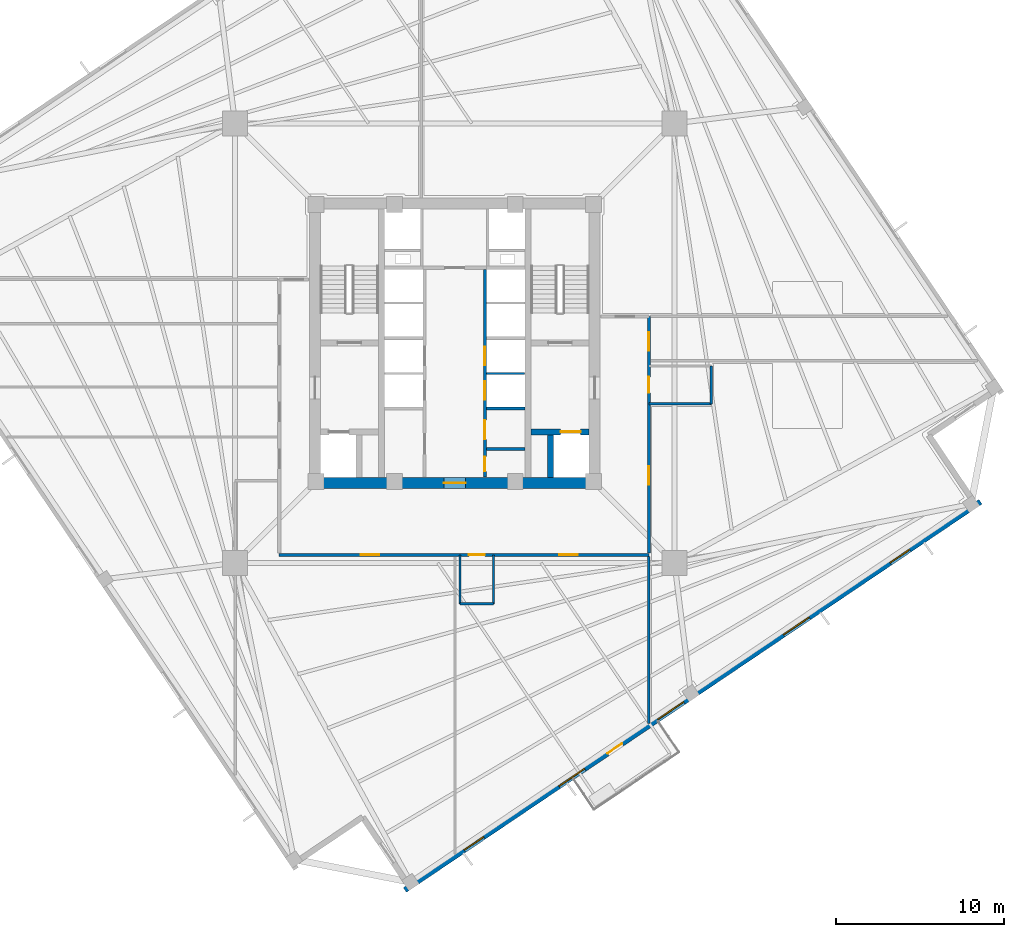
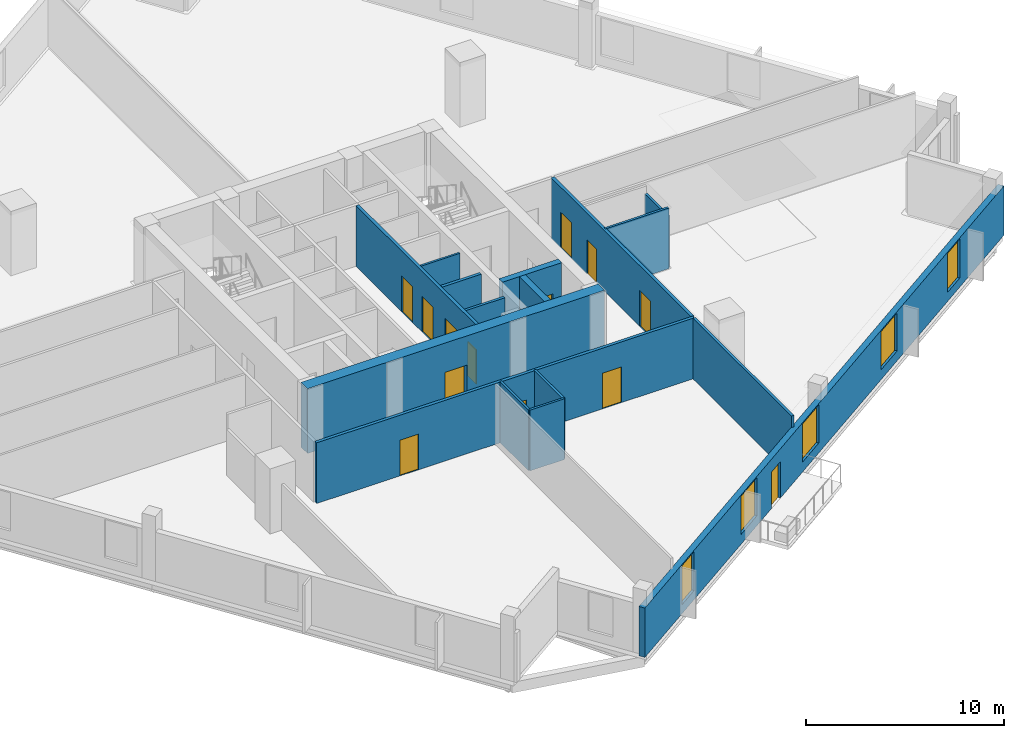
# One storey, part 3 of 8: 16 walls, 13 doors, 5 windows, 18 openings.
"""IFC4 building model written with IfcOpenShell, lengths in metres."""

import ifcopenshell
import ifcopenshell.guid

model = None  # the IFC model being written
_history = None  # IfcOwnerHistory: only IFC2X3 demands one
_inside = {}  # id of a spatial element -> (the spatial element, [elements in it])
_under = {}  # id of a project, library or spatial element -> (it, [spatial elements below it])
_declared = {}  # id of a project -> (the project, [libraries it declares])
_typed = {}  # id of a type object -> (the type object, [elements of that type])
_made_of = {}  # id of a material, layer set ... -> (it, [elements and type objects made of it])


def new_model(schema):
    """Start an empty IFC model of exactly this schema.

    Asked for "IFC4X3", IfcOpenShell would pick the latest addendum, in which some entities
    have other attributes; the version numbers below select the first issue.
    IFC2X3 requires an IfcOwnerHistory on every rooted entity: one is made here for all.
    """
    global model, _history
    if schema == "IFC4X3":
        model = ifcopenshell.file(schema_version=(4, 3, 0, 0))
    else:
        model = ifcopenshell.file(schema=schema)
    _inside.clear()
    _under.clear()
    _declared.clear()
    _typed.clear()
    _made_of.clear()
    _history = None
    if model.schema == "IFC2X3":
        org = make("IfcOrganization", Name="unknown")
        user = make(
            "IfcPersonAndOrganization",
            ThePerson=make("IfcPerson", FamilyName="unknown"),
            TheOrganization=org,
        )
        app = make(
            "IfcApplication",
            ApplicationDeveloper=org,
            Version="unknown",
            ApplicationFullName="unknown",
            ApplicationIdentifier="unknown",
        )
        _history = make(
            "IfcOwnerHistory",
            OwningUser=user,
            OwningApplication=app,
            ChangeAction="ADDED",
            CreationDate=0,
        )
    return model


def make(cls, **values):
    """One entity of the class cls with the attributes given. An attribute that is None is left unset."""
    return model.create_entity(
        cls, **{name: value for name, value in values.items() if value is not None}
    )


def rooted(cls, **values):
    """An entity with a GlobalId (a new one), such as an element, a storey or a relation."""
    return make(cls, GlobalId=ifcopenshell.guid.new(), OwnerHistory=_history, **values)


def si_unit(unit_type, name, prefix=None):
    """IfcSIUnit, for example si_unit("LENGTHUNIT", "METRE", prefix="MILLI")."""
    return make("IfcSIUnit", UnitType=unit_type, Prefix=prefix, Name=name)


def assignment(units):
    """IfcUnitAssignment: the units of a project."""
    return None if units is None else make("IfcUnitAssignment", Units=units)


def point(xyz):
    """IfcCartesianPoint."""
    return None if xyz is None else make("IfcCartesianPoint", Coordinates=xyz)


def direction(xyz):
    """IfcDirection."""
    return None if xyz is None else make("IfcDirection", DirectionRatios=xyz)


def frame(location, z_axis=None, x_axis=None):
    """IfcAxis2Placement3D, a coordinate frame: its origin and axes. An axis left out is left unset."""
    return make(
        "IfcAxis2Placement3D",
        Location=point(location),
        Axis=direction(z_axis),
        RefDirection=direction(x_axis),
    )


def frame_2d(location, x_axis=None):
    """IfcAxis2Placement2D, a coordinate frame in the plane: its origin and x axis."""
    return make(
        "IfcAxis2Placement2D", Location=point(location), RefDirection=direction(x_axis)
    )


def origin():
    """The frame at (0, 0, 0) with its axes left unset."""
    return frame((0.0, 0.0, 0.0))


def place(relative_to, where):
    """IfcLocalPlacement: puts the frame where relative to a parent placement (None: the world)."""
    return make(
        "IfcLocalPlacement", PlacementRelTo=relative_to, RelativePlacement=where
    )


def context(
    kind, dimensions, precision=None, world=None, true_north=None, identifier=None
):
    """IfcGeometricRepresentationContext, for example the 3D "Model" context."""
    return make(
        "IfcGeometricRepresentationContext",
        ContextIdentifier=identifier,
        ContextType=kind,
        CoordinateSpaceDimension=dimensions,
        Precision=precision,
        WorldCoordinateSystem=world,
        TrueNorth=true_north,
    )


def subcontext(parent, identifier, kind, view, scale=None):
    """IfcGeometricRepresentationSubContext, for example "Body" below "Model"."""
    return make(
        "IfcGeometricRepresentationSubContext",
        ContextIdentifier=identifier,
        ContextType=kind,
        ParentContext=parent,
        TargetScale=scale,
        TargetView=view,
    )


def project(units=None, contexts=None):
    """IfcProject with its units and contexts."""
    return rooted(
        "IfcProject",
        Name="project",
        RepresentationContexts=contexts,
        UnitsInContext=assignment(units),
    )


def spatial(cls, under=None, at=None, **own):
    """A site, building, storey or space (cls), placed at a placement, below another one or the project."""
    s = rooted(cls, ObjectPlacement=at, **own)
    if under is not None:
        _under.setdefault(under.id(), (under, []))[1].append(s)
    return s


def profile(cls, at=None, kind="AREA", **sizes):
    """A parametric profile (cls). Its sizes go by their IFC names, for example OverallWidth=200.0."""
    return make(cls, ProfileType=kind, Position=at, **sizes)


def rectangle(**sizes):
    """IfcRectangleProfileDef."""
    return profile("IfcRectangleProfileDef", **sizes)


def extrude(swept, where, along, depth):
    """IfcExtrudedAreaSolid: the profile swept, set in the frame where, extruded along a direction by depth."""
    return make(
        "IfcExtrudedAreaSolid",
        SweptArea=swept,
        Position=where,
        ExtrudedDirection=direction(along),
        Depth=depth,
    )


def shape(context_of_items, identifier, shape_type, items):
    """IfcShapeRepresentation: the items that make up one representation, for example the "Body"."""
    return make(
        "IfcShapeRepresentation",
        ContextOfItems=context_of_items,
        RepresentationIdentifier=identifier,
        RepresentationType=shape_type,
        Items=items,
    )


def source(mapping_origin, context_of_items, identifier, shape_type, items):
    """IfcRepresentationMap: a shape defined once, which mapped items show again and again."""
    return make(
        "IfcRepresentationMap",
        MappingOrigin=mapping_origin,
        MappedRepresentation=shape(context_of_items, identifier, shape_type, items),
    )


def transform(
    local_origin,
    x_axis=None,
    y_axis=None,
    z_axis=None,
    scale=None,
    scale2=None,
    scale3=None,
    uniform=True,
):
    """IfcCartesianTransformationOperator3D, or its non-uniform kind. x_axis, y_axis, z_axis: its Axis1, 2, 3."""
    if uniform:
        return make(
            "IfcCartesianTransformationOperator3D",
            Axis1=direction(x_axis),
            Axis2=direction(y_axis),
            LocalOrigin=point(local_origin),
            Scale=scale,
            Axis3=direction(z_axis),
        )
    return make(
        "IfcCartesianTransformationOperator3DnonUniform",
        Axis1=direction(x_axis),
        Axis2=direction(y_axis),
        LocalOrigin=point(local_origin),
        Scale=scale,
        Axis3=direction(z_axis),
        Scale2=scale2,
        Scale3=scale3,
    )


def mapped(mapping_source, mapping_target):
    """IfcMappedItem: shows the shape of a source again, moved by a transform."""
    return make(
        "IfcMappedItem", MappingSource=mapping_source, MappingTarget=mapping_target
    )


def material(Name=None, Category=None):
    """IfcMaterial."""
    return make("IfcMaterial", Name=Name, Category=Category)


def layer(
    of_material, thickness, ventilated=None, Name=None, Category=None, Priority=None
):
    """IfcMaterialLayer: one layer of a wall or slab, of a material (None: an air gap)."""
    return make(
        "IfcMaterialLayer",
        Material=of_material,
        LayerThickness=thickness,
        IsVentilated=ventilated,
        Name=Name,
        Category=Category,
        Priority=Priority,
    )


def layer_set(layers, Name=None):
    """IfcMaterialLayerSet."""
    return make("IfcMaterialLayerSet", MaterialLayers=layers, LayerSetName=Name)


def made_of(thing, what):
    """Note that an element or type object is made of a material, layer set ...; save() writes the relation."""
    if what is not None:
        _made_of.setdefault(what.id(), (what, []))[1].append(thing)
    return thing


def type_object(cls, material=None, **own):
    """A type object (cls), such as IfcWallType, which elements share."""
    return made_of(rooted(cls, **own), material)


def element(
    cls,
    number,
    at=None,
    inside=None,
    cuts=None,
    type_object=None,
    material=None,
    context=None,
    identifier="Body",
    shape_type=None,
    held_by="IfcProductDefinitionShape",
    body=None,
    shapes=None,
    **own,
):
    """One element of the class cls, such as IfcWall. Its Tag is "e" and its number.

    at: its placement. inside: the storey or other place that contains it. cuts: it is an
    opening in that element (IfcRelVoidsElement). A single representation is given by context,
    identifier, shape_type and body (its items); several are given by shapes. held_by: the class
    of the entity that holds the representations. save() writes the other relations.
    """
    e = rooted(cls, Tag="e%d" % number, ObjectPlacement=at, **own)
    if body is not None:
        shapes = [shape(context, identifier, shape_type, body)]
    if shapes is not None:
        e.Representation = make(held_by, Representations=shapes)
    if inside is not None:
        _inside.setdefault(inside.id(), (inside, []))[1].append(e)
    if cuts is not None:
        rooted(
            "IfcRelVoidsElement", RelatingBuildingElement=cuts, RelatedOpeningElement=e
        )
    if type_object is not None:
        _typed.setdefault(type_object.id(), (type_object, []))[1].append(e)
    return made_of(e, material)


def fill(opening, filler):
    """IfcRelFillsElement: the door or window that sits in an opening."""
    return rooted(
        "IfcRelFillsElement",
        RelatingOpeningElement=opening,
        RelatedBuildingElement=filler,
    )


def aggregate(whole, parts):
    """IfcRelAggregates: a whole, such as a stair, and the parts it consists of."""
    return rooted("IfcRelAggregates", RelatingObject=whole, RelatedObjects=parts)


def save(model, path):
    """Write the relations noted so far, then the file.

    IfcRelAggregates (storeys below a building ...), IfcRelContainedInSpatialStructure (elements
    in a storey), IfcRelDefinesByType, IfcRelAssociatesMaterial and IfcRelDeclares: one each for
    every whole, place, type object, material and project.
    """
    for whole, parts in _under.values():
        aggregate(whole, parts)
    for where, things in _inside.values():
        rooted(
            "IfcRelContainedInSpatialStructure",
            RelatedElements=things,
            RelatingStructure=where,
        )
    for kind, things in _typed.values():
        rooted("IfcRelDefinesByType", RelatedObjects=things, RelatingType=kind)
    for what, things in _made_of.values():
        rooted("IfcRelAssociatesMaterial", RelatedObjects=things, RelatingMaterial=what)
    for by, libraries in _declared.values():
        rooted("IfcRelDeclares", RelatingContext=by, RelatedDefinitions=libraries)
    model.write(path)


model = new_model("IFC4")

# Units and contexts
model_context = context("Model", 3, precision=1e-05, world=origin(), true_north=direction((0.0, 1.0)))
body_context = subcontext(model_context, "Body", "Model", "MODEL_VIEW")
ifc_project = project(units=[si_unit("LENGTHUNIT", "METRE"), si_unit("AREAUNIT", "SQUARE_METRE"), si_unit("VOLUMEUNIT", "CUBIC_METRE"), si_unit("PLANEANGLEUNIT", "RADIAN"), si_unit("MASSUNIT", "GRAM", prefix="KILO"), si_unit("THERMODYNAMICTEMPERATUREUNIT", "KELVIN")], contexts=[model_context])

# Site, building, storey
site_placement = place(None, origin())
site = spatial("IfcSite", under=ifc_project, at=site_placement, CompositionType="ELEMENT")
building_placement = place(site_placement, origin())
building = spatial("IfcBuilding", under=site, at=building_placement, Name="Kosmvard Interchange Tower", CompositionType="ELEMENT")
storey_placement = place(building_placement, frame((0.0, 0.0, 188.39990234375)))
storey = spatial("IfcBuildingStorey", under=building, at=storey_placement, Name="L45", CompositionType="ELEMENT", Elevation=188.39990234375)

# Walls
ifc_material_1 = material(Name="Acoustic gypsum partition system")
ifc_layer_1 = layer(ifc_material_1, 0.14990234375, Name="Acoustic gypsum partition system")
ifc_layer_set_1 = layer_set([ifc_layer_1], Name="Acoustic gypsum partition system")
wall_type_1 = type_object("IfcWallType", Name="Acoustic Suite & Meeting Partition 150", PredefinedType="PARTITIONING", material=ifc_layer_set_1)
wall_1_placement = place(storey_placement, frame((11.550048828125, -22.63623046875, 0.0), z_axis=(0.0, 0.0, 1.0), x_axis=(0.0, 1.0, 0.0)))
element("IfcWall", 1, at=wall_1_placement, inside=storey, type_object=wall_type_1, Name="L45 Room Partition 11.1", PredefinedType="PARTITIONING", context=body_context, shape_type="SweptSolid", body=[
    extrude(rectangle(XDim=9.941162109375, YDim=0.14990234375, at=frame_2d((4.970703125, 0.0))), origin(), (0.0, 0.0, 1.0), 3.739990234375),
])
ifc_material_2 = material(Name="Fire-rated gypsum partition system")
ifc_layer_2 = layer(ifc_material_2, 0.159912109375, Name="Fire-rated gypsum partition system")
ifc_layer_set_2 = layer_set([ifc_layer_2], Name="Fire-rated gypsum partition system")
wall_type_2 = type_object("IfcWallType", Name="Core Compartment & Shuttle Lobby Partition 160", PredefinedType="PARTITIONING", material=ifc_layer_set_2)
wall_2_placement = place(storey_placement, frame((1.889892578125, -6.300048828125, 0.0), z_axis=(0.0, 0.0, 1.0), x_axis=(1.0, 0.0, 0.0)))
element("IfcWall", 2, at=wall_2_placement, inside=storey, type_object=wall_type_2, Name="L45 Reclaimed Split E", PredefinedType="PARTITIONING", context=body_context, shape_type="SweptSolid", body=[
    extrude(rectangle(XDim=2.280029296875, YDim=0.159912109375, at=frame_2d((1.14013671875, 0.0))), origin(), (0.0, 0.0, 1.0), 3.739990234375),
])

# Wall, openings, doors
ifc_layer_3 = layer(ifc_material_2, 0.179931640625, Name="Fire-rated gypsum partition system")
ifc_layer_set_3 = layer_set([ifc_layer_3], Name="Fire-rated gypsum partition system")
wall_type_3 = type_object("IfcWallType", Name="Corridor & Hotel Compartment Partition 180", PredefinedType="PARTITIONING", material=ifc_layer_set_3)
wall_3_placement = place(storey_placement, frame((1.7900390625, -7.97998046875, 0.0), z_axis=(0.0, 0.0, 1.0), x_axis=(0.0, 1.0, 0.0)))
wall_3 = element("IfcWall", 3, at=wall_3_placement, inside=storey, type_object=wall_type_3, Name="L45 East Lift Bank Front Wall", PredefinedType="PARTITIONING", context=body_context, shape_type="SweptSolid", body=[
    extrude(rectangle(XDim=12.3798828125, YDim=0.179931640625, at=frame_2d((6.18994140625, 0.0))), origin(), (0.0, 0.0, 1.0), 3.739990234375),
])
opening_1_placement = place(wall_3_placement, frame((4.60009765625, 0.0, 0.0)))
opening_1 = element("IfcOpeningElement", 4, at=opening_1_placement, cuts=wall_3, Name="Opening LD-PL-M3-L45", PredefinedType="OPENING", context=body_context, shape_type="SweptSolid", body=[
    extrude(rectangle(XDim=1.10009765625, YDim=2.199951171875, at=frame_2d((0.550048828125, 1.10009765625))), frame((0.0, 0.10009765625, 0.0), z_axis=(0.0, -1.0, 0.0), x_axis=(1.0, 0.0, 0.0)), (0.0, 0.0, 1.0), 0.199951171875),
])
opening_2_placement = place(wall_3_placement, frame((6.659912109375, 0.0, 0.0)))
opening_2 = element("IfcOpeningElement", 5, at=opening_2_placement, cuts=wall_3, Name="Opening LD-PL-M4-L45", PredefinedType="OPENING", context=body_context, shape_type="SweptSolid", body=[
    extrude(rectangle(XDim=1.10009765625, YDim=2.199951171875, at=frame_2d((0.550048828125, 1.10009765625))), frame((0.0, 0.10009765625, 0.0), z_axis=(0.0, -1.0, 0.0), x_axis=(1.0, 0.0, 0.0)), (0.0, 0.0, 1.0), 0.199951171875),
])
opening_3_placement = place(wall_3_placement, frame((0.35009765625, 0.0, 0.0)))
opening_3 = element("IfcOpeningElement", 6, at=opening_3_placement, cuts=wall_3, Name="Opening L45-CD2", PredefinedType="OPENING", context=body_context, shape_type="SweptSolid", body=[
    extrude(rectangle(XDim=0.8798828125, YDim=2.10009765625, at=frame_2d((0.43994140625, 1.050048828125))), frame((0.0, 0.10009765625, 0.0), z_axis=(0.0, -1.0, 0.0), x_axis=(1.0, 0.0, 0.0)), (0.0, 0.0, 1.0), 0.199951171875),
])
opening_4_placement = place(wall_3_placement, frame((2.25, 0.0, 0.0)))
opening_4 = element("IfcOpeningElement", 7, at=opening_4_placement, cuts=wall_3, Name="Opening L45-CD3", PredefinedType="OPENING", context=body_context, shape_type="SweptSolid", body=[
    extrude(rectangle(XDim=1.14990234375, YDim=2.25, at=frame_2d((0.574951171875, 1.125))), frame((0.0, 0.10009765625, 0.0), z_axis=(0.0, -1.0, 0.0), x_axis=(1.0, 0.0, 0.0)), (0.0, 0.0, 1.0), 0.199951171875),
])
ifc_material_3 = material(Name="Painted fire-rated steel leaf", Category="steel")
door_type_1 = type_object("IfcDoorType", Name="Plant & Riser Fire Door 1150x2250 EI60", OperationType="NOTDEFINED", PredefinedType="DOOR", material=ifc_material_3)
shared_shape_1 = source(origin(), body_context, "Body", "SweptSolid", [
    extrude(rectangle(XDim=1.14990234375, YDim=2.25, at=frame_2d((0.574951171875, 1.125))), frame((0.0, 0.02490234375, 0.0), z_axis=(0.0, -1.0, 0.0), x_axis=(1.0, 0.0, 0.0)), (0.0, 0.0, 1.0), 0.050048828125),
])
door_1_placement = place(opening_4_placement, frame((1.14990234375, 0.0, 0.0), z_axis=(0.0, 0.0, 1.0), x_axis=(-1.0, 0.0, 0.0)))
door_1 = element("IfcDoor", 8, at=door_1_placement, inside=storey, type_object=door_type_1, Name="L45 Core Pantry Door", OperationType="SINGLE_SWING_LEFT", OverallHeight=2.25, OverallWidth=1.14990234375, PredefinedType="DOOR", context=body_context, shape_type="MappedRepresentation", body=[
    mapped(shared_shape_1, transform((0.0, 0.0, 0.0), scale=1.0)),
])
fill(opening_4, door_1)
ifc_material_4 = material(Name="Brushed stainless steel sliding leaf", Category="steel")
door_type_2 = type_object("IfcDoorType", Name="Passenger Lift Sliding Landing Door 1100x2200 EI60", OperationType="DOUBLE_DOOR_SLIDING", PredefinedType="DOOR", material=ifc_material_4)
shared_shape_2 = source(origin(), body_context, "Body", "SweptSolid", [
    extrude(rectangle(XDim=1.10009765625, YDim=2.199951171875, at=frame_2d((0.550048828125, 1.10009765625))), frame((0.0, 0.02490234375, 0.0), z_axis=(0.0, -1.0, 0.0), x_axis=(1.0, 0.0, 0.0)), (0.0, 0.0, 1.0), 0.050048828125),
])
door_2_placement = place(opening_1_placement, origin())
door_2 = element("IfcDoor", 9, at=door_2_placement, inside=storey, type_object=door_type_2, Name="Lift PL-M3 Landing Door L45", OperationType="DOUBLE_DOOR_SLIDING", OverallHeight=2.199951171875, OverallWidth=1.10009765625, PredefinedType="DOOR", context=body_context, shape_type="MappedRepresentation", body=[
    mapped(shared_shape_2, transform((0.0, 0.0, 0.0), scale=1.0)),
])
fill(opening_1, door_2)
door_3_placement = place(opening_2_placement, origin())
door_3 = element("IfcDoor", 10, at=door_3_placement, inside=storey, type_object=door_type_2, Name="Lift PL-M4 Landing Door L45", OperationType="DOUBLE_DOOR_SLIDING", OverallHeight=2.199951171875, OverallWidth=1.10009765625, PredefinedType="DOOR", context=body_context, shape_type="MappedRepresentation", body=[
    mapped(shared_shape_2, transform((0.0, 0.0, 0.0), scale=1.0)),
])
fill(opening_2, door_3)
ifc_material_5 = material(Name="Painted fire-rated timber leaf", Category="wood")
door_type_3 = type_object("IfcDoorType", Name="Core Cupboard Fire Door 880x2100 EI30", OperationType="NOTDEFINED", PredefinedType="DOOR", material=ifc_material_5)
shared_shape_3 = source(origin(), body_context, "Body", "SweptSolid", [
    extrude(rectangle(XDim=0.8798828125, YDim=2.10009765625, at=frame_2d((0.43994140625, 1.050048828125))), frame((0.0, 0.02490234375, 0.0), z_axis=(0.0, -1.0, 0.0), x_axis=(1.0, 0.0, 0.0)), (0.0, 0.0, 1.0), 0.050048828125),
])
door_4_placement = place(opening_3_placement, frame((0.8798828125, 0.0, 0.0), z_axis=(0.0, 0.0, 1.0), x_axis=(-1.0, 0.0, 0.0)))
door_4 = element("IfcDoor", 11, at=door_4_placement, inside=storey, type_object=door_type_3, Name="L45 Core Cleaner Door", OperationType="SINGLE_SWING_RIGHT", OverallHeight=2.10009765625, OverallWidth=0.8798828125, PredefinedType="DOOR", context=body_context, shape_type="MappedRepresentation", body=[
    mapped(shared_shape_3, transform((0.0, 0.0, 0.0), scale=1.0)),
])
fill(opening_3, door_4)

wall_4_placement = place(storey_placement, frame((-10.449951171875, -12.60009765625, 0.0), z_axis=(0.0, 0.0, 1.0), x_axis=(1.0, 0.0, 0.0)))
wall_4 = element("IfcWall", 12, at=wall_4_placement, inside=storey, type_object=wall_type_3, Name="L45 Corridor Wall CS", PredefinedType="PARTITIONING", context=body_context, shape_type="SweptSolid", body=[
    extrude(rectangle(XDim=22.0, YDim=0.179931640625, at=frame_2d((11.0, 0.0))), origin(), (0.0, 0.0, 1.0), 3.739990234375),
])
opening_5_placement = place(wall_4_placement, frame((11.2861328125, 0.0, 0.0)))
opening_5 = element("IfcOpeningElement", 13, at=opening_5_placement, cuts=wall_4, Name="Opening L45-D01", PredefinedType="OPENING", context=body_context, shape_type="SweptSolid", body=[
    extrude(rectangle(XDim=0.949951171875, YDim=2.10009765625, at=frame_2d((0.47509765625, 1.050048828125))), frame((0.0, 0.10009765625, 0.0), z_axis=(0.0, -1.0, 0.0), x_axis=(1.0, 0.0, 0.0)), (0.0, 0.0, 1.0), 0.199951171875),
])
opening_6_placement = place(wall_4_placement, frame((4.83935546875, 0.0, 0.0)))
opening_6 = element("IfcOpeningElement", 14, at=opening_6_placement, cuts=wall_4, Name="Opening L45-D10", PredefinedType="OPENING", context=body_context, shape_type="SweptSolid", body=[
    extrude(rectangle(XDim=1.10009765625, YDim=2.199951171875, at=frame_2d((0.550048828125, 1.10009765625))), frame((0.0, 0.10009765625, 0.0), z_axis=(0.0, -1.0, 0.0), x_axis=(1.0, 0.0, 0.0)), (0.0, 0.0, 1.0), 0.199951171875),
])
opening_7_placement = place(wall_4_placement, frame((16.66015625, 0.0, 0.0)))
opening_7 = element("IfcOpeningElement", 15, at=opening_7_placement, cuts=wall_4, Name="Opening L45-D11", PredefinedType="OPENING", context=body_context, shape_type="SweptSolid", body=[
    extrude(rectangle(XDim=1.10009765625, YDim=2.199951171875, at=frame_2d((0.550048828125, 1.10009765625))), frame((0.0, 0.10009765625, 0.0), z_axis=(0.0, -1.0, 0.0), x_axis=(1.0, 0.0, 0.0)), (0.0, 0.0, 1.0), 0.199951171875),
])
ifc_material_6 = material(Name="Laminated moisture-resistant timber", Category="wood")
door_type_4 = type_object("IfcDoorType", Name="Accessible Washroom Door 950x2100", OperationType="NOTDEFINED", PredefinedType="DOOR", material=ifc_material_6)
shared_shape_4 = source(origin(), body_context, "Body", "SweptSolid", [
    extrude(rectangle(XDim=0.949951171875, YDim=2.10009765625, at=frame_2d((0.47509765625, 1.050048828125))), frame((0.0, 0.02490234375, 0.0), z_axis=(0.0, -1.0, 0.0), x_axis=(1.0, 0.0, 0.0)), (0.0, 0.0, 1.0), 0.050048828125),
])
door_5_placement = place(opening_5_placement, frame((0.949951171875, 0.0, 0.0), z_axis=(0.0, 0.0, 1.0), x_axis=(-1.0, 0.0, 0.0)))
door_5 = element("IfcDoor", 16, at=door_5_placement, inside=storey, type_object=door_type_4, Name="L45 Accessible Toilet Door", OperationType="SINGLE_SWING_LEFT", OverallHeight=2.10009765625, OverallWidth=0.949951171875, PredefinedType="DOOR", context=body_context, shape_type="MappedRepresentation", body=[
    mapped(shared_shape_4, transform((0.0, 0.0, 0.0), scale=1.0)),
])
fill(opening_5, door_5)
ifc_material_7 = material(Name="Engineered oak fire-rated timber", Category="wood")
door_type_5 = type_object("IfcDoorType", Name="Office Suite Entrance Door 1100x2200 FD30S", OperationType="NOTDEFINED", PredefinedType="DOOR", material=ifc_material_7)
door_6_placement = place(opening_6_placement, frame((1.10009765625, 0.0, 0.0), z_axis=(0.0, 0.0, 1.0), x_axis=(-1.0, 0.0, 0.0)))
door_6 = element("IfcDoor", 17, at=door_6_placement, inside=storey, type_object=door_type_5, Name="L45 Sky Terrace Espresso Cafe Door", OperationType="SINGLE_SWING_RIGHT", OverallHeight=2.199951171875, OverallWidth=1.10009765625, PredefinedType="DOOR", context=body_context, shape_type="MappedRepresentation", body=[
    mapped(shared_shape_2, transform((0.0, 0.0, 0.0), scale=1.0)),
])
fill(opening_6, door_6)
door_7_placement = place(opening_7_placement, frame((1.10009765625, 0.0, 0.0), z_axis=(0.0, 0.0, 1.0), x_axis=(-1.0, 0.0, 0.0)))
door_7 = element("IfcDoor", 18, at=door_7_placement, inside=storey, type_object=door_type_5, Name="L45 Operations Boardroom 1 Door", OperationType="SINGLE_SWING_LEFT", OverallHeight=2.199951171875, OverallWidth=1.10009765625, PredefinedType="DOOR", context=body_context, shape_type="MappedRepresentation", body=[
    mapped(shared_shape_2, transform((0.0, 0.0, 0.0), scale=1.0)),
])
fill(opening_7, door_7)

wall_5_placement = place(storey_placement, frame((11.550048828125, -12.5, 0.0), z_axis=(0.0, 0.0, 1.0), x_axis=(0.0, 1.0, 0.0)))
wall_5 = element("IfcWall", 19, at=wall_5_placement, inside=storey, type_object=wall_type_3, Name="L45 Corridor Wall CE", PredefinedType="PARTITIONING", context=body_context, shape_type="SweptSolid", body=[
    extrude(rectangle(XDim=14.10009765625, YDim=0.179931640625, at=frame_2d((7.050048828125, 0.0))), origin(), (0.0, 0.0, 1.0), 3.739990234375),
])
opening_8_placement = place(wall_5_placement, frame((9.538818359375, 0.0, 0.0)))
opening_8 = element("IfcOpeningElement", 20, at=opening_8_placement, cuts=wall_5, Name="Opening L45-D02", PredefinedType="OPENING", context=body_context, shape_type="SweptSolid", body=[
    extrude(rectangle(XDim=0.949951171875, YDim=2.10009765625, at=frame_2d((0.47509765625, 1.050048828125))), frame((0.0, 0.10009765625, 0.0), z_axis=(0.0, -1.0, 0.0), x_axis=(1.0, 0.0, 0.0)), (0.0, 0.0, 1.0), 0.199951171875),
])
opening_9_placement = place(wall_5_placement, frame((12.060546875, 0.0, 0.0)))
opening_9 = element("IfcOpeningElement", 21, at=opening_9_placement, cuts=wall_5, Name="Opening L45-D06", PredefinedType="OPENING", context=body_context, shape_type="SweptSolid", body=[
    extrude(rectangle(XDim=1.10009765625, YDim=2.199951171875, at=frame_2d((0.550048828125, 1.10009765625))), frame((0.0, 0.10009765625, 0.0), z_axis=(0.0, -1.0, 0.0), x_axis=(1.0, 0.0, 0.0)), (0.0, 0.0, 1.0), 0.199951171875),
])
opening_10_placement = place(wall_5_placement, frame((4.06494140625, 0.0, 0.0)))
opening_10 = element("IfcOpeningElement", 22, at=opening_10_placement, cuts=wall_5, Name="Opening L45-D12", PredefinedType="OPENING", context=body_context, shape_type="SweptSolid", body=[
    extrude(rectangle(XDim=1.10009765625, YDim=2.199951171875, at=frame_2d((0.550048828125, 1.10009765625))), frame((0.0, 0.10009765625, 0.0), z_axis=(0.0, -1.0, 0.0), x_axis=(1.0, 0.0, 0.0)), (0.0, 0.0, 1.0), 0.199951171875),
])
door_8_placement = place(opening_8_placement, frame((0.949951171875, 0.0, 0.0), z_axis=(0.0, 0.0, 1.0), x_axis=(-1.0, 0.0, 0.0)))
door_8 = element("IfcDoor", 23, at=door_8_placement, inside=storey, type_object=door_type_4, Name="L45 Public Floor Washroom Door", OperationType="SINGLE_SWING_RIGHT", OverallHeight=2.10009765625, OverallWidth=0.949951171875, PredefinedType="DOOR", context=body_context, shape_type="MappedRepresentation", body=[
    mapped(shared_shape_4, transform((0.0, 0.0, 0.0), scale=1.0)),
])
fill(opening_8, door_8)
door_9_placement = place(opening_9_placement, frame((1.10009765625, 0.0, 0.0), z_axis=(0.0, 0.0, 1.0), x_axis=(-1.0, 0.0, 0.0)))
door_9 = element("IfcDoor", 24, at=door_9_placement, inside=storey, type_object=door_type_5, Name="L45 Tech Staff Fitness Studio Door", OperationType="SINGLE_SWING_RIGHT", OverallHeight=2.199951171875, OverallWidth=1.10009765625, PredefinedType="DOOR", context=body_context, shape_type="MappedRepresentation", body=[
    mapped(shared_shape_2, transform((0.0, 0.0, 0.0), scale=1.0)),
])
fill(opening_9, door_9)
door_10_placement = place(opening_10_placement, frame((1.10009765625, 0.0, 0.0), z_axis=(0.0, 0.0, 1.0), x_axis=(-1.0, 0.0, 0.0)))
door_10 = element("IfcDoor", 25, at=door_10_placement, inside=storey, type_object=door_type_5, Name="L45 South-East Open DevOps Studio Door", OperationType="SINGLE_SWING_RIGHT", OverallHeight=2.199951171875, OverallWidth=1.10009765625, PredefinedType="DOOR", context=body_context, shape_type="MappedRepresentation", body=[
    mapped(shared_shape_2, transform((0.0, 0.0, 0.0), scale=1.0)),
])
fill(opening_10, door_10)

# Wall, opening, door
ifc_material_8 = material(Name="Concrete C70/85", Category="concrete")
ifc_layer_4 = layer(ifc_material_8, 0.64990234375, Name="Concrete C70/85")
ifc_layer_set_4 = layer_set([ifc_layer_4], Name="Concrete C70/85")
wall_type_4 = type_object("IfcWallType", Name="Mid Core Shear Wall 650 C70/85", PredefinedType="SHEAR", material=ifc_layer_set_4)
wall_6_placement = place(storey_placement, frame((-8.64990234375, -8.324951171875, 0.0), z_axis=(0.0, 0.0, 1.0), x_axis=(1.0, 0.0, 0.0)))
wall_6 = element("IfcWall", 26, at=wall_6_placement, inside=storey, type_object=wall_type_4, Name="L45 Core Shear Wall CW-S", PredefinedType="SHEAR", context=body_context, shape_type="SweptSolid", body=[
    extrude(rectangle(XDim=17.2998046875, YDim=0.64990234375, at=frame_2d((8.64990234375, 0.0))), origin(), (0.0, 0.0, 1.0), 4.0),
])
opening_11_placement = place(wall_6_placement, frame((8.0, 0.0, 0.0)))
opening_11 = element("IfcOpeningElement", 27, at=opening_11_placement, cuts=wall_6, Name="Opening L45-LD0", PredefinedType="OPENING", context=body_context, shape_type="SweptSolid", body=[
    extrude(rectangle(XDim=1.300048828125, YDim=2.199951171875, at=frame_2d((0.64990234375, 1.10009765625))), frame((0.0, 0.3349609375, 0.0), z_axis=(0.0, -1.0, 0.0), x_axis=(1.0, 0.0, 0.0)), (0.0, 0.0, 1.0), 0.669921875),
])
door_type_6 = type_object("IfcDoorType", Name="Firefighting Lobby Door 1300x2200 EI60", OperationType="NOTDEFINED", PredefinedType="DOOR", material=ifc_material_3)
shared_shape_5 = source(origin(), body_context, "Body", "SweptSolid", [
    extrude(rectangle(XDim=1.300048828125, YDim=2.199951171875, at=frame_2d((0.64990234375, 1.10009765625))), frame((0.0, 0.02490234375, 0.0), z_axis=(0.0, -1.0, 0.0), x_axis=(1.0, 0.0, 0.0)), (0.0, 0.0, 1.0), 0.050048828125),
])
door_11_placement = place(opening_11_placement, frame((1.300048828125, 0.0, 0.0), z_axis=(0.0, 0.0, 1.0), x_axis=(-1.0, 0.0, 0.0)))
door_11 = element("IfcDoor", 28, at=door_11_placement, inside=storey, type_object=door_type_6, Name="L45 Passenger Lift Lobby South Door", OperationType="SINGLE_SWING_RIGHT", OverallHeight=2.199951171875, OverallWidth=1.300048828125, PredefinedType="DOOR", context=body_context, shape_type="MappedRepresentation", body=[
    mapped(shared_shape_5, transform((0.0, 0.0, 0.0), scale=1.0)),
])
fill(opening_11, door_11)

# Wall, openings, door, windows
ifc_material_9 = material(Name="Precast concrete C45/55", Category="concrete")
ifc_layer_5 = layer(ifc_material_9, 0.340087890625, Name="Precast concrete C45/55")
ifc_layer_set_5 = layer_set([ifc_layer_5], Name="Precast concrete C45/55")
wall_type_5 = type_object("IfcWallType", Name="Mid Tower Precast Pier Wall 340 C45/55", PredefinedType="STANDARD", material=ifc_layer_set_5)
wall_7_placement = place(storey_placement, frame((-2.971923828125, -32.55810546875, 0.0), z_axis=(0.0, 0.0, 1.0), x_axis=(0.829036218961, 0.559194910251, 0.0)))
wall_7 = element("IfcWall", 29, at=wall_7_placement, inside=storey, type_object=wall_type_5, Name="L45 Precast Facade Wall F-S", PredefinedType="STANDARD", context=body_context, shape_type="SweptSolid", body=[
    extrude(rectangle(XDim=41.340087890625, YDim=0.340087890625, at=frame_2d((20.669921875, 0.0))), origin(), (0.0, 0.0, 1.0), 3.0400390625),
])
opening_12_placement = place(wall_7_placement, frame((14.544921875, 0.0, 0.0)))
opening_12 = element("IfcOpeningElement", 30, at=opening_12_placement, cuts=wall_7, Name="Opening L45-BDS", PredefinedType="OPENING", context=body_context, shape_type="SweptSolid", body=[
    extrude(rectangle(XDim=1.050048828125, YDim=2.25, at=frame_2d((0.52490234375, 1.125))), frame((0.0, 0.18017578125, 0.0), z_axis=(0.0, -1.0, 0.0), x_axis=(1.0, 0.0, 0.0)), (0.0, 0.0, 1.0), 0.360107421875),
])
opening_13_placement = place(wall_7_placement, frame((4.2607421875, 0.0, 0.56005859375)))
opening_13 = element("IfcOpeningElement", 31, at=opening_13_placement, cuts=wall_7, Name="Opening L45-W01", PredefinedType="OPENING", context=body_context, shape_type="SweptSolid", body=[
    extrude(rectangle(XDim=1.39990234375, YDim=2.39990234375, at=frame_2d((0.699951171875, 1.199951171875))), frame((0.0, 0.18017578125, 0.0), z_axis=(0.0, -1.0, 0.0), x_axis=(1.0, 0.0, 0.0)), (0.0, 0.0, 1.0), 0.360107421875),
])
opening_14_placement = place(wall_7_placement, frame((11.063720703125, 0.0, 0.610107421875)))
opening_14 = element("IfcOpeningElement", 32, at=opening_14_placement, cuts=wall_7, Name="Opening L45-W02", PredefinedType="OPENING", context=body_context, shape_type="SweptSolid", body=[
    extrude(rectangle(XDim=1.85009765625, YDim=2.35009765625, at=frame_2d((0.925048828125, 1.175048828125))), frame((0.0, 0.18017578125, 0.0), z_axis=(0.0, -1.0, 0.0), x_axis=(1.0, 0.0, 0.0)), (0.0, 0.0, 1.0), 0.360107421875),
])
opening_15_placement = place(wall_7_placement, frame((18.168212890625, 0.0, 0.610107421875)))
opening_15 = element("IfcOpeningElement", 33, at=opening_15_placement, cuts=wall_7, Name="Opening L45-W03", PredefinedType="OPENING", context=body_context, shape_type="SweptSolid", body=[
    extrude(rectangle(XDim=1.85009765625, YDim=2.35009765625, at=frame_2d((0.925048828125, 1.175048828125))), frame((0.0, 0.18017578125, 0.0), z_axis=(0.0, -1.0, 0.0), x_axis=(1.0, 0.0, 0.0)), (0.0, 0.0, 1.0), 0.360107421875),
])
opening_16_placement = place(wall_7_placement, frame((27.186279296875, 0.0, 0.610107421875)))
opening_16 = element("IfcOpeningElement", 34, at=opening_16_placement, cuts=wall_7, Name="Opening L45-W04", PredefinedType="OPENING", context=body_context, shape_type="SweptSolid", body=[
    extrude(rectangle(XDim=1.85009765625, YDim=2.35009765625, at=frame_2d((0.925048828125, 1.175048828125))), frame((0.0, 0.18017578125, 0.0), z_axis=(0.0, -1.0, 0.0), x_axis=(1.0, 0.0, 0.0)), (0.0, 0.0, 1.0), 0.360107421875),
])
opening_17_placement = place(wall_7_placement, frame((34.852294921875, 0.0, 0.56005859375)))
opening_17 = element("IfcOpeningElement", 35, at=opening_17_placement, cuts=wall_7, Name="Opening L45-W05", PredefinedType="OPENING", context=body_context, shape_type="SweptSolid", body=[
    extrude(rectangle(XDim=1.39990234375, YDim=2.39990234375, at=frame_2d((0.699951171875, 1.199951171875))), frame((0.0, 0.18017578125, 0.0), z_axis=(0.0, -1.0, 0.0), x_axis=(1.0, 0.0, 0.0)), (0.0, 0.0, 1.0), 0.360107421875),
])
ifc_material_10 = material(Name="Anodised aluminium and safety glass", Category="aluminium")
door_type_7 = type_object("IfcDoorType", Name="Tree-Balcony Glazed Door 1050x2250", OperationType="NOTDEFINED", PredefinedType="DOOR", material=ifc_material_10)
shared_shape_6 = source(origin(), body_context, "Body", "SweptSolid", [
    extrude(rectangle(XDim=1.050048828125, YDim=2.25, at=frame_2d((0.52490234375, 1.125))), frame((0.0, 0.02490234375, 0.0), z_axis=(0.0, -1.0, 0.0), x_axis=(1.0, 0.0, 0.0)), (0.0, 0.0, 1.0), 0.050048828125),
])
door_12_placement = place(opening_12_placement, origin())
door_12 = element("IfcDoor", 36, at=door_12_placement, inside=storey, type_object=door_type_7, Name="L45 Tree-Balcony Door BAL-L45-S", OperationType="SINGLE_SWING_RIGHT", OverallHeight=2.25, OverallWidth=1.050048828125, PredefinedType="DOOR", context=body_context, shape_type="MappedRepresentation", body=[
    mapped(shared_shape_6, transform((0.0, 0.0, 0.0), scale=1.0)),
])
fill(opening_12, door_12)
ifc_material_11 = material(Name="Low-E solar-control double glazing", Category="glass")
window_type_1 = type_object("IfcWindowType", Name="Notched Corner Feature Window 1400x2400", PartitioningType="SINGLE_PANEL", PredefinedType="WINDOW", material=ifc_material_11)
shared_shape_7 = source(origin(), body_context, "Body", "SweptSolid", [
    extrude(rectangle(XDim=1.39990234375, YDim=2.39990234375, at=frame_2d((0.699951171875, 1.199951171875))), frame((0.0, 0.030029296875, 0.0), z_axis=(0.0, -1.0, 0.0), x_axis=(1.0, 0.0, 0.0)), (0.0, 0.0, 1.0), 0.06005859375),
])
window_1_placement = place(opening_13_placement, origin())
window_1 = element("IfcWindow", 37, at=window_1_placement, inside=storey, type_object=window_type_1, Name="L45 Facade Punched Window 01", OverallHeight=2.39990234375, OverallWidth=1.39990234375, PartitioningType="SINGLE_PANEL", PredefinedType="WINDOW", context=body_context, shape_type="MappedRepresentation", body=[
    mapped(shared_shape_7, transform((0.0, 0.0, 0.0), scale=1.0)),
])
fill(opening_13, window_1)
window_2_placement = place(opening_17_placement, origin())
window_2 = element("IfcWindow", 38, at=window_2_placement, inside=storey, type_object=window_type_1, Name="L45 Facade Punched Window 05", OverallHeight=2.39990234375, OverallWidth=1.39990234375, PartitioningType="SINGLE_PANEL", PredefinedType="WINDOW", context=body_context, shape_type="MappedRepresentation", body=[
    mapped(shared_shape_7, transform((0.0, 0.0, 0.0), scale=1.0)),
])
fill(opening_17, window_2)
window_type_2 = type_object("IfcWindowType", Name="Zone 3 Office Punched Window 1850x2350", PartitioningType="SINGLE_PANEL", PredefinedType="WINDOW", material=ifc_material_11)
shared_shape_8 = source(origin(), body_context, "Body", "SweptSolid", [
    extrude(rectangle(XDim=1.85009765625, YDim=2.35009765625, at=frame_2d((0.925048828125, 1.175048828125))), frame((0.0, 0.030029296875, 0.0), z_axis=(0.0, -1.0, 0.0), x_axis=(1.0, 0.0, 0.0)), (0.0, 0.0, 1.0), 0.06005859375),
])
window_3_placement = place(opening_14_placement, origin())
window_3 = element("IfcWindow", 39, at=window_3_placement, inside=storey, type_object=window_type_2, Name="L45 Facade Punched Window 02", OverallHeight=2.35009765625, OverallWidth=1.85009765625, PartitioningType="SINGLE_PANEL", PredefinedType="WINDOW", context=body_context, shape_type="MappedRepresentation", body=[
    mapped(shared_shape_8, transform((0.0, 0.0, 0.0), scale=1.0)),
])
fill(opening_14, window_3)
window_4_placement = place(opening_15_placement, origin())
window_4 = element("IfcWindow", 40, at=window_4_placement, inside=storey, type_object=window_type_2, Name="L45 Facade Punched Window 03", OverallHeight=2.35009765625, OverallWidth=1.85009765625, PartitioningType="SINGLE_PANEL", PredefinedType="WINDOW", context=body_context, shape_type="MappedRepresentation", body=[
    mapped(shared_shape_8, transform((0.0, 0.0, 0.0), scale=1.0)),
])
fill(opening_15, window_4)
window_5_placement = place(opening_16_placement, origin())
window_5 = element("IfcWindow", 41, at=window_5_placement, inside=storey, type_object=window_type_2, Name="L45 Facade Punched Window 04", OverallHeight=2.35009765625, OverallWidth=1.85009765625, PartitioningType="SINGLE_PANEL", PredefinedType="WINDOW", context=body_context, shape_type="MappedRepresentation", body=[
    mapped(shared_shape_8, transform((0.0, 0.0, 0.0), scale=1.0)),
])
fill(opening_16, window_5)

# Walls
ifc_material_12 = material(Name="Concrete blockwork masonry", Category="masonry")
ifc_layer_6 = layer(ifc_material_12, 0.179931640625, Name="Concrete blockwork masonry")
ifc_layer_set_6 = layer_set([ifc_layer_6], Name="Concrete blockwork masonry")
wall_type_6 = type_object("IfcWallType", Name="Riser & Lift Bank Divider Wall 180", PredefinedType="PARTITIONING", material=ifc_layer_set_6)
wall_8_placement = place(storey_placement, frame((1.889892578125, -3.89990234375, 0.0), z_axis=(0.0, 0.0, 1.0), x_axis=(1.0, 0.0, 0.0)))
element("IfcWall", 42, at=wall_8_placement, inside=storey, type_object=wall_type_6, Name="L45 East Bank Divider BD1", PredefinedType="PARTITIONING", context=body_context, shape_type="SweptSolid", body=[
    extrude(rectangle(XDim=2.280029296875, YDim=0.179931640625, at=frame_2d((1.14013671875, 0.0))), origin(), (0.0, 0.0, 1.0), 3.739990234375),
])
ifc_material_13 = material(Name="Fire-rated gypsum shaftwall system")
ifc_layer_7 = layer(ifc_material_13, 0.1201171875, Name="Fire-rated gypsum shaftwall system")
ifc_layer_set_7 = layer_set([ifc_layer_7], Name="Fire-rated gypsum shaftwall system")
wall_type_7 = type_object("IfcWallType", Name="Shaft & Riser Fire Partition 120 EI60", PredefinedType="PARTITIONING", material=ifc_layer_set_7)
wall_9_placement = place(storey_placement, frame((1.89990234375, -1.800048828125, 0.0), z_axis=(0.0, 0.0, 1.0), x_axis=(1.0, 0.0, 0.0)))
element("IfcWall", 43, at=wall_9_placement, inside=storey, type_object=wall_type_7, Name="L45 Shaft Divider PL-M3", PredefinedType="PARTITIONING", context=body_context, shape_type="SweptSolid", body=[
    extrude(rectangle(XDim=2.260009765625, YDim=0.1201171875, at=frame_2d((1.1298828125, 0.0))), origin(), (0.0, 0.0, 1.0), 3.739990234375),
])

# Wall, opening, door
ifc_material_14 = material(Name="Concrete C60/75", Category="concrete")
ifc_layer_8 = layer(ifc_material_14, 0.360107421875, Name="Concrete C60/75")
ifc_layer_set_8 = layer_set([ifc_layer_8], Name="Concrete C60/75")
wall_type_8 = type_object("IfcWallType", Name="Stair & Lift Shaft Shear Wall 360 C60/75", PredefinedType="SHEAR", material=ifc_layer_set_8)
wall_10_placement = place(storey_placement, frame((4.5400390625, -5.280029296875, 0.0), z_axis=(0.0, 0.0, 1.0), x_axis=(1.0, 0.0, 0.0)))
wall_10 = element("IfcWall", 44, at=wall_10_placement, inside=storey, type_object=wall_type_8, Name="L45 Shaft Shear Wall SW-FF2", PredefinedType="SHEAR", context=body_context, shape_type="SweptSolid", body=[
    extrude(rectangle(XDim=3.4599609375, YDim=0.360107421875, at=frame_2d((1.72998046875, 0.0))), origin(), (0.0, 0.0, 1.0), 4.0),
])
opening_18_placement = place(wall_10_placement, frame((1.760009765625, 0.0, 0.0)))
opening_18 = element("IfcOpeningElement", 45, at=opening_18_placement, cuts=wall_10, Name="Opening LD-FF-2-L45", PredefinedType="OPENING", context=body_context, shape_type="SweptSolid", body=[
    extrude(rectangle(XDim=1.199951171875, YDim=2.25, at=frame_2d((0.60009765625, 1.125))), frame((0.0, 0.18994140625, 0.0), z_axis=(0.0, -1.0, 0.0), x_axis=(1.0, 0.0, 0.0)), (0.0, 0.0, 1.0), 0.380126953125),
])
door_type_8 = type_object("IfcDoorType", Name="Firefighting Lift Sliding Landing Door 1200x2250 EI120", OperationType="DOUBLE_DOOR_SLIDING", PredefinedType="DOOR", material=ifc_material_4)
shared_shape_9 = source(origin(), body_context, "Body", "SweptSolid", [
    extrude(rectangle(XDim=1.199951171875, YDim=2.25, at=frame_2d((0.60009765625, 1.125))), frame((0.0, 0.02490234375, 0.0), z_axis=(0.0, -1.0, 0.0), x_axis=(1.0, 0.0, 0.0)), (0.0, 0.0, 1.0), 0.050048828125),
])
door_13_placement = place(opening_18_placement, origin())
door_13 = element("IfcDoor", 46, at=door_13_placement, inside=storey, type_object=door_type_8, Name="Lift FF-2 Landing Door L45", OperationType="DOUBLE_DOOR_SLIDING", OverallHeight=2.25, OverallWidth=1.199951171875, PredefinedType="DOOR", context=body_context, shape_type="MappedRepresentation", body=[
    mapped(shared_shape_9, transform((0.0, 0.0, 0.0), scale=1.0)),
])
fill(opening_18, door_13)

# Walls
wall_11_placement = place(storey_placement, frame((5.7099609375, -8.0, 0.0), z_axis=(0.0, 0.0, 1.0), x_axis=(0.0, 1.0, 0.0)))
element("IfcWall", 47, at=wall_11_placement, inside=storey, type_object=wall_type_8, Name="L45 Shaft Shear Wall SW-SM2", PredefinedType="SHEAR", context=body_context, shape_type="SweptSolid", body=[
    extrude(rectangle(XDim=2.5400390625, YDim=0.360107421875, at=frame_2d((1.27001953125, 0.0))), origin(), (0.0, 0.0, 1.0), 4.0),
])
ifc_material_15 = material(Name="Moisture-resistant gypsum partition")
ifc_layer_9 = layer(ifc_material_15, 0.135009765625, Name="Moisture-resistant gypsum partition")
ifc_layer_set_9 = layer_set([ifc_layer_9], Name="Moisture-resistant gypsum partition")
wall_type_9 = type_object("IfcWallType", Name="Wet Room Moisture-Resistant Partition 135", PredefinedType="PARTITIONING", material=ifc_layer_set_9)
wall_12_placement = place(storey_placement, frame((0.31103515625, -15.52001953125, 0.0), z_axis=(0.0, 0.0, 1.0), x_axis=(1.0, 0.0, 0.0)))
element("IfcWall", 48, at=wall_12_placement, inside=storey, type_object=wall_type_9, Name="L45 Washroom Partition AWC1-S", PredefinedType="PARTITIONING", context=body_context, shape_type="SweptSolid", body=[
    extrude(rectangle(XDim=2.0, YDim=0.135009765625, at=frame_2d((1.0, 0.0))), origin(), (0.0, 0.0, 1.0), 3.739990234375),
])
for number, where, z_axis, x_axis, name in (
    (49, (2.31103515625, -15.52001953125, 0.0), (0.0, 0.0, 1.0), (0.0, 1.0, 0.0), "L45 Washroom Partition AWC1-E"),
    (50, (0.31103515625, -15.52001953125, 0.0), (0.0, 0.0, 1.0), (0.0, 1.0, 0.0), "L45 Washroom Partition AWC1-W"),
):
    element("IfcWall", number, at=place(storey_placement, frame(where, z_axis=z_axis, x_axis=x_axis)), inside=storey, type_object=wall_type_9, Name=name, PredefinedType="PARTITIONING", context=body_context, shape_type="SweptSolid", body=[
        extrude(rectangle(XDim=2.89990234375, YDim=0.135009765625, at=frame_2d((1.449951171875, 0.0))), origin(), (0.0, 0.0, 1.0), 3.739990234375),
    ])
wall_13_placement = place(storey_placement, frame((11.570068359375, -3.611083984375, 0.0), z_axis=(0.0, 0.0, 1.0), x_axis=(1.0, 0.0, 0.0)))
element("IfcWall", 51, at=wall_13_placement, inside=storey, type_object=wall_type_9, Name="L45 Washroom Partition WC1-S", PredefinedType="PARTITIONING", context=body_context, shape_type="SweptSolid", body=[
    extrude(rectangle(XDim=3.699951171875, YDim=0.135009765625, at=frame_2d((1.85009765625, 0.0))), origin(), (0.0, 0.0, 1.0), 3.739990234375),
])
wall_14_placement = place(storey_placement, frame((15.27001953125, -3.611083984375, 0.0), z_axis=(0.0, 0.0, 1.0), x_axis=(0.0, 1.0, 0.0)))
element("IfcWall", 52, at=wall_14_placement, inside=storey, type_object=wall_type_9, Name="L45 Washroom Partition WC1-E", PredefinedType="PARTITIONING", context=body_context, shape_type="SweptSolid", body=[
    extrude(rectangle(XDim=2.25, YDim=0.135009765625, at=frame_2d((1.125, 0.0))), origin(), (0.0, 0.0, 1.0), 3.239990234375),
])

save(model, "model.ifc")
